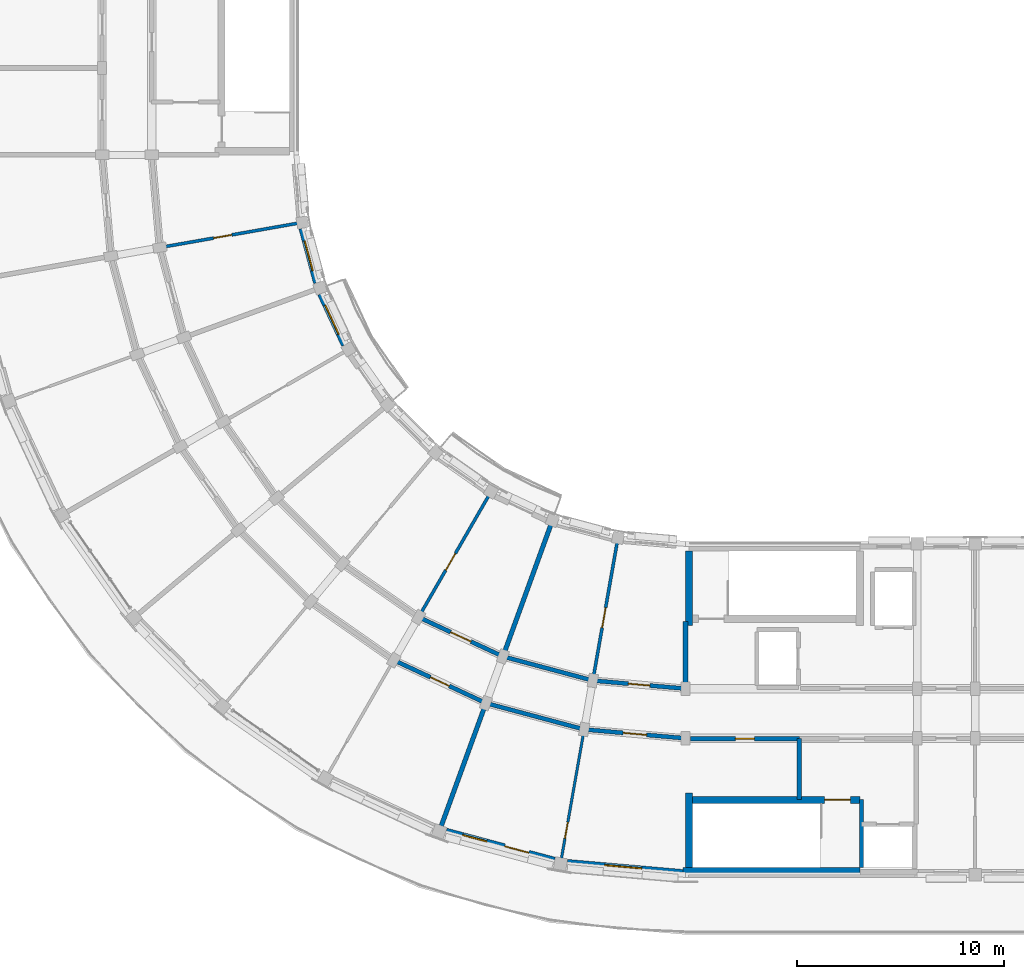
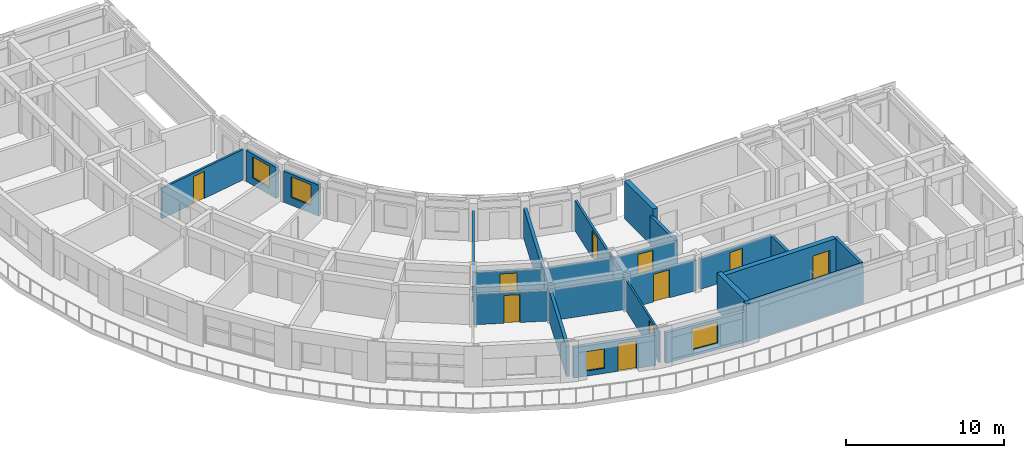
# One storey, part 17 of 53: 24 walls, 11 doors, 4 windows, 15 openings.
"""IFC4 building model written with IfcOpenShell, lengths in metres."""

import ifcopenshell
import ifcopenshell.guid

model = None  # the IFC model being written
_history = None  # IfcOwnerHistory: only IFC2X3 demands one
_inside = {}  # id of a spatial element -> (the spatial element, [elements in it])
_under = {}  # id of a project, library or spatial element -> (it, [spatial elements below it])
_declared = {}  # id of a project -> (the project, [libraries it declares])
_typed = {}  # id of a type object -> (the type object, [elements of that type])
_made_of = {}  # id of a material, layer set ... -> (it, [elements and type objects made of it])


def new_model(schema):
    """Start an empty IFC model of exactly this schema.

    Asked for "IFC4X3", IfcOpenShell would pick the latest addendum, in which some entities
    have other attributes; the version numbers below select the first issue.
    IFC2X3 requires an IfcOwnerHistory on every rooted entity: one is made here for all.
    """
    global model, _history
    if schema == "IFC4X3":
        model = ifcopenshell.file(schema_version=(4, 3, 0, 0))
    else:
        model = ifcopenshell.file(schema=schema)
    _inside.clear()
    _under.clear()
    _declared.clear()
    _typed.clear()
    _made_of.clear()
    _history = None
    if model.schema == "IFC2X3":
        org = make("IfcOrganization", Name="unknown")
        user = make(
            "IfcPersonAndOrganization",
            ThePerson=make("IfcPerson", FamilyName="unknown"),
            TheOrganization=org,
        )
        app = make(
            "IfcApplication",
            ApplicationDeveloper=org,
            Version="unknown",
            ApplicationFullName="unknown",
            ApplicationIdentifier="unknown",
        )
        _history = make(
            "IfcOwnerHistory",
            OwningUser=user,
            OwningApplication=app,
            ChangeAction="ADDED",
            CreationDate=0,
        )
    return model


def make(cls, **values):
    """One entity of the class cls with the attributes given. An attribute that is None is left unset."""
    return model.create_entity(
        cls, **{name: value for name, value in values.items() if value is not None}
    )


def rooted(cls, **values):
    """An entity with a GlobalId (a new one), such as an element, a storey or a relation."""
    return make(cls, GlobalId=ifcopenshell.guid.new(), OwnerHistory=_history, **values)


def si_unit(unit_type, name, prefix=None):
    """IfcSIUnit, for example si_unit("LENGTHUNIT", "METRE", prefix="MILLI")."""
    return make("IfcSIUnit", UnitType=unit_type, Prefix=prefix, Name=name)


def assignment(units):
    """IfcUnitAssignment: the units of a project."""
    return None if units is None else make("IfcUnitAssignment", Units=units)


def point(xyz):
    """IfcCartesianPoint."""
    return None if xyz is None else make("IfcCartesianPoint", Coordinates=xyz)


def direction(xyz):
    """IfcDirection."""
    return None if xyz is None else make("IfcDirection", DirectionRatios=xyz)


def frame(location, z_axis=None, x_axis=None):
    """IfcAxis2Placement3D, a coordinate frame: its origin and axes. An axis left out is left unset."""
    return make(
        "IfcAxis2Placement3D",
        Location=point(location),
        Axis=direction(z_axis),
        RefDirection=direction(x_axis),
    )


def frame_2d(location, x_axis=None):
    """IfcAxis2Placement2D, a coordinate frame in the plane: its origin and x axis."""
    return make(
        "IfcAxis2Placement2D", Location=point(location), RefDirection=direction(x_axis)
    )


def origin():
    """The frame at (0, 0, 0) with its axes left unset."""
    return frame((0.0, 0.0, 0.0))


def place(relative_to, where):
    """IfcLocalPlacement: puts the frame where relative to a parent placement (None: the world)."""
    return make(
        "IfcLocalPlacement", PlacementRelTo=relative_to, RelativePlacement=where
    )


def context(
    kind, dimensions, precision=None, world=None, true_north=None, identifier=None
):
    """IfcGeometricRepresentationContext, for example the 3D "Model" context."""
    return make(
        "IfcGeometricRepresentationContext",
        ContextIdentifier=identifier,
        ContextType=kind,
        CoordinateSpaceDimension=dimensions,
        Precision=precision,
        WorldCoordinateSystem=world,
        TrueNorth=true_north,
    )


def subcontext(parent, identifier, kind, view, scale=None):
    """IfcGeometricRepresentationSubContext, for example "Body" below "Model"."""
    return make(
        "IfcGeometricRepresentationSubContext",
        ContextIdentifier=identifier,
        ContextType=kind,
        ParentContext=parent,
        TargetScale=scale,
        TargetView=view,
    )


def project(units=None, contexts=None):
    """IfcProject with its units and contexts."""
    return rooted(
        "IfcProject",
        Name="project",
        RepresentationContexts=contexts,
        UnitsInContext=assignment(units),
    )


def spatial(cls, under=None, at=None, **own):
    """A site, building, storey or space (cls), placed at a placement, below another one or the project."""
    s = rooted(cls, ObjectPlacement=at, **own)
    if under is not None:
        _under.setdefault(under.id(), (under, []))[1].append(s)
    return s


def profile(cls, at=None, kind="AREA", **sizes):
    """A parametric profile (cls). Its sizes go by their IFC names, for example OverallWidth=200.0."""
    return make(cls, ProfileType=kind, Position=at, **sizes)


def rectangle(**sizes):
    """IfcRectangleProfileDef."""
    return profile("IfcRectangleProfileDef", **sizes)


def extrude(swept, where, along, depth):
    """IfcExtrudedAreaSolid: the profile swept, set in the frame where, extruded along a direction by depth."""
    return make(
        "IfcExtrudedAreaSolid",
        SweptArea=swept,
        Position=where,
        ExtrudedDirection=direction(along),
        Depth=depth,
    )


def shape(context_of_items, identifier, shape_type, items):
    """IfcShapeRepresentation: the items that make up one representation, for example the "Body"."""
    return make(
        "IfcShapeRepresentation",
        ContextOfItems=context_of_items,
        RepresentationIdentifier=identifier,
        RepresentationType=shape_type,
        Items=items,
    )


def material(Name=None, Category=None):
    """IfcMaterial."""
    return make("IfcMaterial", Name=Name, Category=Category)


def layer(
    of_material, thickness, ventilated=None, Name=None, Category=None, Priority=None
):
    """IfcMaterialLayer: one layer of a wall or slab, of a material (None: an air gap)."""
    return make(
        "IfcMaterialLayer",
        Material=of_material,
        LayerThickness=thickness,
        IsVentilated=ventilated,
        Name=Name,
        Category=Category,
        Priority=Priority,
    )


def layer_set(layers, Name=None):
    """IfcMaterialLayerSet."""
    return make("IfcMaterialLayerSet", MaterialLayers=layers, LayerSetName=Name)


def made_of(thing, what):
    """Note that an element or type object is made of a material, layer set ...; save() writes the relation."""
    if what is not None:
        _made_of.setdefault(what.id(), (what, []))[1].append(thing)
    return thing


def type_object(cls, material=None, **own):
    """A type object (cls), such as IfcWallType, which elements share."""
    return made_of(rooted(cls, **own), material)


def element(
    cls,
    number,
    at=None,
    inside=None,
    cuts=None,
    type_object=None,
    material=None,
    context=None,
    identifier="Body",
    shape_type=None,
    held_by="IfcProductDefinitionShape",
    body=None,
    shapes=None,
    **own,
):
    """One element of the class cls, such as IfcWall. Its Tag is "e" and its number.

    at: its placement. inside: the storey or other place that contains it. cuts: it is an
    opening in that element (IfcRelVoidsElement). A single representation is given by context,
    identifier, shape_type and body (its items); several are given by shapes. held_by: the class
    of the entity that holds the representations. save() writes the other relations.
    """
    e = rooted(cls, Tag="e%d" % number, ObjectPlacement=at, **own)
    if body is not None:
        shapes = [shape(context, identifier, shape_type, body)]
    if shapes is not None:
        e.Representation = make(held_by, Representations=shapes)
    if inside is not None:
        _inside.setdefault(inside.id(), (inside, []))[1].append(e)
    if cuts is not None:
        rooted(
            "IfcRelVoidsElement", RelatingBuildingElement=cuts, RelatedOpeningElement=e
        )
    if type_object is not None:
        _typed.setdefault(type_object.id(), (type_object, []))[1].append(e)
    return made_of(e, material)


def fill(opening, filler):
    """IfcRelFillsElement: the door or window that sits in an opening."""
    return rooted(
        "IfcRelFillsElement",
        RelatingOpeningElement=opening,
        RelatedBuildingElement=filler,
    )


def aggregate(whole, parts):
    """IfcRelAggregates: a whole, such as a stair, and the parts it consists of."""
    return rooted("IfcRelAggregates", RelatingObject=whole, RelatedObjects=parts)


def save(model, path):
    """Write the relations noted so far, then the file.

    IfcRelAggregates (storeys below a building ...), IfcRelContainedInSpatialStructure (elements
    in a storey), IfcRelDefinesByType, IfcRelAssociatesMaterial and IfcRelDeclares: one each for
    every whole, place, type object, material and project.
    """
    for whole, parts in _under.values():
        aggregate(whole, parts)
    for where, things in _inside.values():
        rooted(
            "IfcRelContainedInSpatialStructure",
            RelatedElements=things,
            RelatingStructure=where,
        )
    for kind, things in _typed.values():
        rooted("IfcRelDefinesByType", RelatedObjects=things, RelatingType=kind)
    for what, things in _made_of.values():
        rooted("IfcRelAssociatesMaterial", RelatedObjects=things, RelatingMaterial=what)
    for by, libraries in _declared.values():
        rooted("IfcRelDeclares", RelatingContext=by, RelatedDefinitions=libraries)
    model.write(path)


model = new_model("IFC4")

# Units and contexts
model_context = context("Model", 3, precision=1e-05, world=origin(), true_north=direction((0.0, 1.0)))
body_context = subcontext(model_context, "Body", "Model", "MODEL_VIEW")
ifc_project = project(units=[si_unit("LENGTHUNIT", "METRE"), si_unit("AREAUNIT", "SQUARE_METRE"), si_unit("VOLUMEUNIT", "CUBIC_METRE"), si_unit("PLANEANGLEUNIT", "RADIAN"), si_unit("MASSUNIT", "GRAM", prefix="KILO")], contexts=[model_context])

# Site, building, storey
site_placement = place(None, origin())
site = spatial("IfcSite", under=ifc_project, at=site_placement, CompositionType="ELEMENT")
building_placement = place(site_placement, origin())
building = spatial("IfcBuilding", under=site, at=building_placement, Name="Kiranvali Square Residences", CompositionType="ELEMENT")
storey_placement = place(building_placement, frame((0.0, 0.0, 30.75)))
storey = spatial("IfcBuildingStorey", under=building, at=storey_placement, Name="L09", CompositionType="ELEMENT", Elevation=30.75)

# Wall, opening, door
ifc_material_1 = material(Name="Autoclaved aerated concrete blockwork masonry", Category="masonry")
ifc_layer_1 = layer(ifc_material_1, 0.199951171875)
ifc_layer_set_1 = layer_set([ifc_layer_1], Name="Autoclaved aerated concrete blockwork masonry")
wall_type_1 = type_object("IfcWallType", Name="WL-COR-200", PredefinedType="STANDARD", material=ifc_layer_set_1)
wall_1_placement = place(storey_placement, frame((48.199951171875, 22.39990234375, 0.0), z_axis=(0.0, 0.0, 1.0), x_axis=(-0.996191949488, 0.087187153726, 0.0)))
wall_1 = element("IfcWall", 1, at=wall_1_placement, inside=storey, type_object=wall_type_1, Name="L09 architectural wall WL-L09-C-CCI-0", PredefinedType="STANDARD", context=body_context, shape_type="SweptSolid", body=[
    extrude(rectangle(XDim=4.4970703125, YDim=0.199951171875, at=frame_2d((2.24853515625, 0.0))), origin(), (0.0, 0.0, 1.0), 2.35205078125),
])
opening_1_placement = place(wall_1_placement, frame((1.728515625, 0.0, 0.0)))
opening_1 = element("IfcOpeningElement", 2, at=opening_1_placement, cuts=wall_1, Name="Opening FD-APT-60B", PredefinedType="OPENING", context=body_context, shape_type="SweptSolid", body=[
    extrude(rectangle(XDim=1.0400390625, YDim=2.14990234375, at=frame_2d((0.52001953125, 1.074951171875))), frame((0.0, 0.10986328125, 0.0), z_axis=(0.0, -1.0, 0.0), x_axis=(1.0, 0.0, 0.0)), (0.0, 0.0, 1.0), 0.219970703125),
])
ifc_material_2 = material(Name="Fire-rated acoustic hardwood and mineral-core door assembly", Category="wood")
door_type_1 = type_object("IfcDoorType", Name="DR-APT-1040", OperationType="NOTDEFINED", PredefinedType="DOOR", material=ifc_material_2)
door_1_placement = place(opening_1_placement, frame((1.0400390625, 0.0, 0.0), z_axis=(0.0, 0.0, 1.0), x_axis=(-1.0, 0.0, 0.0)))
door_1 = element("IfcDoor", 3, at=door_1_placement, inside=storey, type_object=door_type_1, Name="L09 door DR-L09-2286 (DR-APT-1040)", OperationType="SINGLE_SWING_RIGHT", OverallHeight=2.14990234375, OverallWidth=1.0400390625, PredefinedType="DOOR", context=body_context, shape_type="SweptSolid", body=[
    extrude(rectangle(XDim=1.0400390625, YDim=2.14990234375, at=frame_2d((0.52001953125, 1.074951171875))), frame((0.0, 0.02490234375, 0.0), z_axis=(0.0, -1.0, 0.0), x_axis=(1.0, 0.0, 0.0)), (0.0, 0.0, 1.0), 0.050048828125),
])
fill(opening_1, door_1)

wall_2_placement = place(storey_placement, frame((48.199951171875, 20.0, 0.0), z_axis=(0.0, 0.0, 1.0), x_axis=(-0.996193663584, 0.087167566415, 0.0)))
wall_2 = element("IfcWall", 4, at=wall_2_placement, inside=storey, type_object=wall_type_1, Name="L09 architectural wall WL-L09-C-CCO-0", PredefinedType="STANDARD", context=body_context, shape_type="SweptSolid", body=[
    extrude(rectangle(XDim=4.91552734375, YDim=0.199951171875, at=frame_2d((2.457763671875, 0.0))), origin(), (0.0, 0.0, 1.0), 2.35205078125),
])
opening_2_placement = place(wall_2_placement, frame((1.8876953125, 0.0, 0.0)))
opening_2 = element("IfcOpeningElement", 5, at=opening_2_placement, cuts=wall_2, Name="Opening FD-APT-60D", PredefinedType="OPENING", context=body_context, shape_type="SweptSolid", body=[
    extrude(rectangle(XDim=1.139892578125, YDim=2.14990234375, at=frame_2d((0.56982421875, 1.074951171875))), frame((0.0, 0.10986328125, 0.0), z_axis=(0.0, -1.0, 0.0), x_axis=(1.0, 0.0, 0.0)), (0.0, 0.0, 1.0), 0.219970703125),
])
door_type_2 = type_object("IfcDoorType", Name="DR-APT-1140", OperationType="NOTDEFINED", PredefinedType="DOOR", material=ifc_material_2)
door_2_placement = place(opening_2_placement, origin())
door_2 = element("IfcDoor", 6, at=door_2_placement, inside=storey, type_object=door_type_2, Name="L09 door DR-L09-2281 (DR-APT-1140)", OperationType="SINGLE_SWING_LEFT", OverallHeight=2.14990234375, OverallWidth=1.139892578125, PredefinedType="DOOR", context=body_context, shape_type="SweptSolid", body=[
    extrude(rectangle(XDim=1.139892578125, YDim=2.14990234375, at=frame_2d((0.56982421875, 1.074951171875))), frame((0.0, 0.02490234375, 0.0), z_axis=(0.0, -1.0, 0.0), x_axis=(1.0, 0.0, 0.0)), (0.0, 0.0, 1.0), 0.050048828125),
])
fill(opening_2, door_2)

# Walls
wall_3_placement = place(storey_placement, frame((43.719970703125, 22.7919921875, 0.0), z_axis=(0.0, 0.0, 1.0), x_axis=(-0.965934240054, 0.258787642463, 0.0)))
element("IfcWall", 7, at=wall_3_placement, inside=storey, type_object=wall_type_1, Name="L09 architectural wall WL-L09-C-CCI-1", PredefinedType="STANDARD", context=body_context, shape_type="SweptSolid", body=[
    extrude(rectangle(XDim=4.497314453125, YDim=0.199951171875, at=frame_2d((2.24853515625, 0.0))), origin(), (0.0, 0.0, 1.0), 2.35205078125),
])
wall_4_placement = place(storey_placement, frame((43.30322265625, 20.428466796875, 0.0), z_axis=(0.0, 0.0, 1.0), x_axis=(-0.965930095386, 0.258803112091, 0.0)))
element("IfcWall", 8, at=wall_4_placement, inside=storey, type_object=wall_type_1, Name="L09 architectural wall WL-L09-C-CCO-1", PredefinedType="STANDARD", context=body_context, shape_type="SweptSolid", body=[
    extrude(rectangle(XDim=4.915771484375, YDim=0.199951171875, at=frame_2d((2.4580078125, 0.0))), origin(), (0.0, 0.0, 1.0), 2.35205078125),
])

# Wall, opening, door
wall_5_placement = place(storey_placement, frame((39.3759765625, 23.955810546875, 0.0), z_axis=(0.0, 0.0, 1.0), x_axis=(-0.906307919131, 0.422617978463, 0.0)))
wall_5 = element("IfcWall", 9, at=wall_5_placement, inside=storey, type_object=wall_type_1, Name="L09 architectural wall WL-L09-C-CCI-2", PredefinedType="STANDARD", context=body_context, shape_type="SweptSolid", body=[
    extrude(rectangle(XDim=4.497314453125, YDim=0.199951171875, at=frame_2d((2.24853515625, 0.0))), origin(), (0.0, 0.0, 1.0), 2.35205078125),
])
opening_3_placement = place(wall_5_placement, frame((1.708740234375, 0.0, 0.0)))
opening_3 = element("IfcOpeningElement", 10, at=opening_3_placement, cuts=wall_5, Name="Opening FD-APT-60C", PredefinedType="OPENING", context=body_context, shape_type="SweptSolid", body=[
    extrude(rectangle(XDim=1.080078125, YDim=2.14990234375, at=frame_2d((0.5400390625, 1.074951171875))), frame((0.0, 0.10986328125, 0.0), z_axis=(0.0, -1.0, 0.0), x_axis=(1.0, 0.0, 0.0)), (0.0, 0.0, 1.0), 0.219970703125),
])
door_type_3 = type_object("IfcDoorType", Name="DR-APT-1080", OperationType="NOTDEFINED", PredefinedType="DOOR", material=ifc_material_2)
door_3_placement = place(opening_3_placement, origin())
door_3 = element("IfcDoor", 11, at=door_3_placement, inside=storey, type_object=door_type_3, Name="L09 door DR-L09-2287 (DR-APT-1080)", OperationType="SINGLE_SWING_LEFT", OverallHeight=2.14990234375, OverallWidth=1.080078125, PredefinedType="DOOR", context=body_context, shape_type="SweptSolid", body=[
    extrude(rectangle(XDim=1.080078125, YDim=2.14990234375, at=frame_2d((0.5400390625, 1.074951171875))), frame((0.0, 0.02490234375, 0.0), z_axis=(0.0, -1.0, 0.0), x_axis=(1.0, 0.0, 0.0)), (0.0, 0.0, 1.0), 0.050048828125),
])
fill(opening_3, door_3)

wall_6_placement = place(storey_placement, frame((38.554931640625, 21.70068359375, 0.0), z_axis=(0.0, 0.0, 1.0), x_axis=(-0.906302381024, 0.422629854778, 0.0)))
wall_6 = element("IfcWall", 12, at=wall_6_placement, inside=storey, type_object=wall_type_1, Name="L09 architectural wall WL-L09-C-CCO-2", PredefinedType="STANDARD", context=body_context, shape_type="SweptSolid", body=[
    extrude(rectangle(XDim=4.915283203125, YDim=0.199951171875, at=frame_2d((2.45751953125, 0.0))), origin(), (0.0, 0.0, 1.0), 2.35205078125),
])
opening_4_placement = place(wall_6_placement, frame((1.957763671875, 0.0, 0.0)))
opening_4 = element("IfcOpeningElement", 13, at=opening_4_placement, cuts=wall_6, Name="Opening FD-APT-60", PredefinedType="OPENING", context=body_context, shape_type="SweptSolid", body=[
    extrude(rectangle(XDim=1.0, YDim=2.14990234375, at=frame_2d((0.5, 1.074951171875))), frame((0.0, 0.10986328125, 0.0), z_axis=(0.0, -1.0, 0.0), x_axis=(1.0, 0.0, 0.0)), (0.0, 0.0, 1.0), 0.219970703125),
])
door_type_4 = type_object("IfcDoorType", Name="DR-APT-1000", OperationType="NOTDEFINED", PredefinedType="DOOR", material=ifc_material_2)
door_4_placement = place(opening_4_placement, frame((1.0, 0.0, 0.0), z_axis=(0.0, 0.0, 1.0), x_axis=(-1.0, 0.0, 0.0)))
door_4 = element("IfcDoor", 14, at=door_4_placement, inside=storey, type_object=door_type_4, Name="L09 door DR-L09-2282 (DR-APT-1000)", OperationType="SINGLE_SWING_RIGHT", OverallHeight=2.14990234375, OverallWidth=1.0, PredefinedType="DOOR", context=body_context, shape_type="SweptSolid", body=[
    extrude(rectangle(XDim=1.0, YDim=2.14990234375, at=frame_2d((0.5, 1.074951171875))), frame((0.0, 0.02490234375, 0.0), z_axis=(0.0, -1.0, 0.0), x_axis=(1.0, 0.0, 0.0)), (0.0, 0.0, 1.0), 0.050048828125),
])
fill(opening_4, door_4)

# Walls
ifc_layer_2 = layer(ifc_material_1, 0.219970703125)
ifc_layer_set_2 = layer_set([ifc_layer_2], Name="Autoclaved aerated concrete blockwork masonry")
wall_type_2 = type_object("IfcWallType", Name="WL-DEM-220", PredefinedType="STANDARD", material=ifc_layer_set_2)
wall_7_placement = place(storey_placement, frame((48.199951171875, 25.64990234375, 0.0), z_axis=(0.0, 0.0, 1.0), x_axis=(0.0, -1.0, 0.0)))
element("IfcWall", 15, at=wall_7_placement, inside=storey, type_object=wall_type_2, Name="L09 architectural wall WL-L09-C-RADI-0", PredefinedType="STANDARD", context=body_context, shape_type="SweptSolid", body=[
    extrude(rectangle(XDim=3.199951171875, YDim=0.219970703125, at=frame_2d((1.60009765625, 0.0))), origin(), (0.0, 0.0, 1.0), 2.35205078125),
])
wall_8_placement = place(storey_placement, frame((41.70166015625, 30.345947265625, 0.0), z_axis=(0.0, 0.0, 1.0), x_axis=(-0.342010221662, -0.939696231917, 0.0)))
element("IfcWall", 16, at=wall_8_placement, inside=storey, type_object=wall_type_2, Name="L09 architectural wall WL-L09-C-RADI-2", PredefinedType="STANDARD", context=body_context, shape_type="SweptSolid", body=[
    extrude(rectangle(XDim=6.75, YDim=0.219970703125, at=frame_2d((3.375, 0.0))), origin(), (0.0, 0.0, 1.0), 2.35205078125),
])
wall_9_placement = place(storey_placement, frame((38.520751953125, 21.606689453125, 0.0), z_axis=(0.0, 0.0, 1.0), x_axis=(-0.341992021352, -0.939702855871, 0.0)))
element("IfcWall", 17, at=wall_9_placement, inside=storey, type_object=wall_type_2, Name="L09 architectural wall WL-L09-C-RADO-2", PredefinedType="STANDARD", context=body_context, shape_type="SweptSolid", body=[
    extrude(rectangle(XDim=6.219970703125, YDim=0.219970703125, at=frame_2d((3.10986328125, 0.0))), origin(), (0.0, 0.0, 1.0), 2.35205078125),
])

# Wall, opening, window
ifc_material_3 = material(Name="Breathable lime-rendered clay brick masonry", Category="masonry")
ifc_layer_3 = layer(ifc_material_3, 0.25)
ifc_layer_set_3 = layer_set([ifc_layer_3], Name="Breathable lime-rendered clay brick masonry")
wall_type_3 = type_object("IfcWallType", Name="WL-EXT-250", PredefinedType="STANDARD", material=ifc_layer_set_3)
wall_10_placement = place(storey_placement, frame((48.06640625, 13.537109375, 0.0), z_axis=(0.0, 0.0, 1.0), x_axis=(-0.996192628107, 0.087179399543, 0.0)))
wall_10 = element("IfcWall", 18, at=wall_10_placement, inside=storey, type_object=wall_type_3, Name="L09 exterior wall C-L09-CRV-00", PredefinedType="STANDARD", context=body_context, shape_type="SweptSolid", body=[
    extrude(rectangle(XDim=5.59521484375, YDim=0.25, at=frame_2d((2.797607421875, 0.0))), origin(), (0.0, 0.0, 1.0), 2.35205078125),
])
opening_5_placement = place(wall_10_placement, frame((1.988037109375, 0.0, 0.501953125)))
opening_5 = element("IfcOpeningElement", 19, at=opening_5_placement, cuts=wall_10, Name="Opening W-04", PredefinedType="OPENING", context=body_context, shape_type="SweptSolid", body=[
    extrude(rectangle(XDim=1.800048828125, YDim=1.64990234375, at=frame_2d((0.89990234375, 0.824951171875))), frame((0.0, 0.135009765625, 0.0), z_axis=(0.0, -1.0, 0.0), x_axis=(1.0, 0.0, 0.0)), (0.0, 0.0, 1.0), 0.27001953125),
])
ifc_material_4 = material(Name="Solar-control low-e double glazing", Category="glass")
window_type_1 = type_object("IfcWindowType", Name="WIN-RES-1800x1650", PartitioningType="DOUBLE_PANEL_VERTICAL", PredefinedType="WINDOW", material=ifc_material_4)
window_1_placement = place(opening_5_placement, origin())
window_1 = element("IfcWindow", 20, at=window_1_placement, inside=storey, type_object=window_type_1, Name="L09 recessed window C-L09-CRV-00", OverallHeight=1.64990234375, OverallWidth=1.800048828125, PartitioningType="DOUBLE_PANEL_VERTICAL", PredefinedType="WINDOW", context=body_context, shape_type="SweptSolid", body=[
    extrude(rectangle(XDim=1.800048828125, YDim=1.64990234375, at=frame_2d((0.89990234375, 0.824951171875))), frame((0.0, 0.030029296875, 0.0), z_axis=(0.0, -1.0, 0.0), x_axis=(1.0, 0.0, 0.0)), (0.0, 0.0, 1.0), 0.06005859375),
])
fill(opening_5, window_1)

# Wall, openings, door, window
wall_11_placement = place(storey_placement, frame((41.874755859375, 14.1337890625, 0.0), z_axis=(0.0, 0.0, 1.0), x_axis=(-0.965928932241, 0.258807453254, 0.0)))
wall_11 = element("IfcWall", 21, at=wall_11_placement, inside=storey, type_object=wall_type_3, Name="L09 exterior wall C-L09-CRV-01", PredefinedType="STANDARD", context=body_context, shape_type="SweptSolid", body=[
    extrude(rectangle(XDim=5.414794921875, YDim=0.25, at=frame_2d((2.70751953125, 0.0))), origin(), (0.0, 0.0, 1.0), 2.35205078125),
])
opening_6_placement = place(wall_11_placement, frame((3.395263671875, 0.0, 0.402099609375)))
opening_6 = element("IfcOpeningElement", 22, at=opening_6_placement, cuts=wall_11, Name="Opening W-06", PredefinedType="OPENING", context=body_context, shape_type="SweptSolid", body=[
    extrude(rectangle(XDim=1.199951171875, YDim=1.5, at=frame_2d((0.60009765625, 0.75))), frame((0.0, 0.135009765625, 0.0), z_axis=(0.0, -1.0, 0.0), x_axis=(1.0, 0.0, 0.0)), (0.0, 0.0, 1.0), 0.27001953125),
])
opening_7_placement = place(wall_11_placement, frame((1.295166015625, 0.0, 0.0)))
opening_7 = element("IfcOpeningElement", 23, at=opening_7_placement, cuts=wall_11, Name="Opening ED-BAL-1", PredefinedType="OPENING", context=body_context, shape_type="SweptSolid", body=[
    extrude(rectangle(XDim=1.199951171875, YDim=2.14990234375, at=frame_2d((0.60009765625, 1.074951171875))), frame((0.0, 0.135009765625, 0.0), z_axis=(0.0, -1.0, 0.0), x_axis=(1.0, 0.0, 0.0)), (0.0, 0.0, 1.0), 0.27001953125),
])
ifc_material_5 = material(Name="Anodised bronze aluminium framing", Category="aluminium")
door_type_5 = type_object("IfcDoorType", Name="DR-BAL-1200", OperationType="NOTDEFINED", PredefinedType="DOOR", material=ifc_material_5)
door_5_placement = place(opening_7_placement, origin())
door_5 = element("IfcDoor", 24, at=door_5_placement, inside=storey, type_object=door_type_5, Name="L09 balcony terrace door", OperationType="SINGLE_SWING_RIGHT", OverallHeight=2.14990234375, OverallWidth=1.199951171875, PredefinedType="DOOR", context=body_context, shape_type="SweptSolid", body=[
    extrude(rectangle(XDim=1.199951171875, YDim=2.14990234375, at=frame_2d((0.60009765625, 1.074951171875))), frame((0.0, 0.02490234375, 0.0), z_axis=(0.0, -1.0, 0.0), x_axis=(1.0, 0.0, 0.0)), (0.0, 0.0, 1.0), 0.050048828125),
])
fill(opening_7, door_5)
window_type_2 = type_object("IfcWindowType", Name="WIN-RES-1200x1500", PartitioningType="SINGLE_PANEL", PredefinedType="WINDOW", material=ifc_material_4)
window_2_placement = place(opening_6_placement, origin())
window_2 = element("IfcWindow", 25, at=window_2_placement, inside=storey, type_object=window_type_2, Name="L09 recessed window C-L09-CRV-01", OverallHeight=1.5, OverallWidth=1.199951171875, PartitioningType="SINGLE_PANEL", PredefinedType="WINDOW", context=body_context, shape_type="SweptSolid", body=[
    extrude(rectangle(XDim=1.199951171875, YDim=1.5, at=frame_2d((0.60009765625, 0.75))), frame((0.0, 0.030029296875, 0.0), z_axis=(0.0, -1.0, 0.0), x_axis=(1.0, 0.0, 0.0)), (0.0, 0.0, 1.0), 0.06005859375),
])
fill(opening_6, window_2)

# Wall, opening, window
wall_12_placement = place(storey_placement, frame((31.687744140625, 38.999755859375, 0.0), z_axis=(0.0, 0.0, 1.0), x_axis=(-0.422629903269, 0.906302358412, 0.0)))
wall_12 = element("IfcWall", 26, at=wall_12_placement, inside=storey, type_object=wall_type_3, Name="L09 exterior wall C-L09-GDN-06", PredefinedType="STANDARD", context=body_context, shape_type="SweptSolid", body=[
    extrude(rectangle(XDim=2.7197265625, YDim=0.25, at=frame_2d((1.35986328125, 0.0))), origin(), (0.0, 0.0, 1.0), 2.402099609375),
])
opening_8_placement = place(wall_12_placement, frame((0.5849609375, 0.0, 0.60205078125)))
opening_8 = element("IfcOpeningElement", 27, at=opening_8_placement, cuts=wall_12, Name="Opening W-18", PredefinedType="OPENING", context=body_context, shape_type="SweptSolid", body=[
    extrude(rectangle(XDim=1.550048828125, YDim=1.60009765625, at=frame_2d((0.77490234375, 0.800048828125))), frame((0.0, 0.135009765625, 0.0), z_axis=(0.0, -1.0, 0.0), x_axis=(1.0, 0.0, 0.0)), (0.0, 0.0, 1.0), 0.27001953125),
])
window_type_3 = type_object("IfcWindowType", Name="WIN-GDN-1550x1600", PartitioningType="DOUBLE_PANEL_VERTICAL", PredefinedType="WINDOW", material=ifc_material_4)
window_3_placement = place(opening_8_placement, origin())
window_3 = element("IfcWindow", 28, at=window_3_placement, inside=storey, type_object=window_type_3, Name="L09 recessed window C-L09-GDN-06", OverallHeight=1.60009765625, OverallWidth=1.550048828125, PartitioningType="DOUBLE_PANEL_VERTICAL", PredefinedType="WINDOW", context=body_context, shape_type="SweptSolid", body=[
    extrude(rectangle(XDim=1.550048828125, YDim=1.60009765625, at=frame_2d((0.77490234375, 0.800048828125))), frame((0.0, 0.030029296875, 0.0), z_axis=(0.0, -1.0, 0.0), x_axis=(1.0, 0.0, 0.0)), (0.0, 0.0, 1.0), 0.06005859375),
])
fill(opening_8, window_3)

wall_13_placement = place(storey_placement, frame((30.3408203125, 42.0068359375, 0.0), z_axis=(0.0, 0.0, 1.0), x_axis=(-0.258807879411, 0.965928818058, 0.0)))
wall_13 = element("IfcWall", 29, at=wall_13_placement, inside=storey, type_object=wall_type_3, Name="L09 exterior wall C-L09-GDN-07", PredefinedType="STANDARD", context=body_context, shape_type="SweptSolid", body=[
    extrude(rectangle(XDim=2.7197265625, YDim=0.25, at=frame_2d((1.35986328125, 0.0))), origin(), (0.0, 0.0, 1.0), 2.402099609375),
])
opening_9_placement = place(wall_13_placement, frame((0.60986328125, 0.0, 0.552001953125)))
opening_9 = element("IfcOpeningElement", 30, at=opening_9_placement, cuts=wall_13, Name="Opening W-05", PredefinedType="OPENING", context=body_context, shape_type="SweptSolid", body=[
    extrude(rectangle(XDim=1.5, YDim=1.64990234375, at=frame_2d((0.75, 0.824951171875))), frame((0.0, 0.135009765625, 0.0), z_axis=(0.0, -1.0, 0.0), x_axis=(1.0, 0.0, 0.0)), (0.0, 0.0, 1.0), 0.27001953125),
])
window_type_4 = type_object("IfcWindowType", Name="WIN-RES-1500x1650", PartitioningType="DOUBLE_PANEL_VERTICAL", PredefinedType="WINDOW", material=ifc_material_4)
window_4_placement = place(opening_9_placement, origin())
window_4 = element("IfcWindow", 31, at=window_4_placement, inside=storey, type_object=window_type_4, Name="L09 recessed window C-L09-GDN-07", OverallHeight=1.64990234375, OverallWidth=1.5, PartitioningType="DOUBLE_PANEL_VERTICAL", PredefinedType="WINDOW", context=body_context, shape_type="SweptSolid", body=[
    extrude(rectangle(XDim=1.5, YDim=1.64990234375, at=frame_2d((0.75, 0.824951171875))), frame((0.0, 0.030029296875, 0.0), z_axis=(0.0, -1.0, 0.0), x_axis=(1.0, 0.0, 0.0)), (0.0, 0.0, 1.0), 0.06005859375),
])
fill(opening_9, window_4)

# Wall
ifc_layer_4 = layer(ifc_material_1, 0.199951171875)
ifc_layer_set_4 = layer_set([ifc_layer_4], Name="Autoclaved aerated concrete blockwork masonry")
wall_type_4 = type_object("IfcWallType", Name="WL-FFL-200", PredefinedType="STANDARD", material=ifc_layer_set_4)
wall_14_placement = place(storey_placement, frame((53.699951171875, 19.97998046875, 0.0), z_axis=(0.0, 0.0, 1.0), x_axis=(0.0, -1.0, 0.0)))
element("IfcWall", 32, at=wall_14_placement, inside=storey, type_object=wall_type_4, Name="L09 architectural wall WL-L09-C-FF-DIV", PredefinedType="STANDARD", context=body_context, shape_type="SweptSolid", body=[
    extrude(rectangle(XDim=2.929931640625, YDim=0.199951171875, at=frame_2d((1.46484375, 0.0))), origin(), (0.0, 0.0, 1.0), 2.35205078125),
])

# Wall, opening, door
ifc_material_6 = material(Name="Acoustic gypsum board drylined partition", Category="gypsum")
ifc_layer_5 = layer(ifc_material_6, 0.125)
ifc_layer_set_5 = layer_set([ifc_layer_5], Name="Acoustic gypsum board drylined partition")
wall_type_5 = type_object("IfcWallType", Name="WL-PRT-125", PredefinedType="PARTITIONING", material=ifc_layer_set_5)
wall_15_placement = place(storey_placement, frame((43.28564453125, 20.329833984375, 0.0), z_axis=(0.0, 0.0, 1.0), x_axis=(-0.173646504755, -0.98480804799, 0.0)))
wall_15 = element("IfcWall", 33, at=wall_15_placement, inside=storey, type_object=wall_type_5, Name="L09 architectural wall WL-L09-C-RADO-1", PredefinedType="PARTITIONING", context=body_context, shape_type="SweptSolid", body=[
    extrude(rectangle(XDim=6.219970703125, YDim=0.125, at=frame_2d((3.10986328125, 0.0))), origin(), (0.0, 0.0, 1.0), 2.35205078125),
])
opening_10_placement = place(wall_15_placement, frame((4.44970703125, 0.0, 0.0)))
opening_10 = element("IfcOpeningElement", 34, at=opening_10_placement, cuts=wall_15, Name="Opening ID-WET", PredefinedType="OPENING", context=body_context, shape_type="SweptSolid", body=[
    extrude(rectangle(XDim=0.800048828125, YDim=2.10009765625, at=frame_2d((0.39990234375, 1.050048828125))), frame((0.0, 0.072509765625, 0.0), z_axis=(0.0, -1.0, 0.0), x_axis=(1.0, 0.0, 0.0)), (0.0, 0.0, 1.0), 0.14501953125),
])
ifc_material_7 = material(Name="Solid seasoned teak hardwood joinery", Category="wood")
door_type_6 = type_object("IfcDoorType", Name="DR-WET-800", OperationType="NOTDEFINED", PredefinedType="DOOR", material=ifc_material_7)
door_6_placement = place(opening_10_placement, origin())
door_6 = element("IfcDoor", 35, at=door_6_placement, inside=storey, type_object=door_type_6, Name="L09 door DR-L09-2273 (DR-WET-800)", OperationType="SINGLE_SWING_LEFT", OverallHeight=2.10009765625, OverallWidth=0.800048828125, PredefinedType="DOOR", context=body_context, shape_type="SweptSolid", body=[
    extrude(rectangle(XDim=0.800048828125, YDim=2.10009765625, at=frame_2d((0.39990234375, 1.050048828125))), frame((0.0, 0.02490234375, 0.0), z_axis=(0.0, -1.0, 0.0), x_axis=(1.0, 0.0, 0.0)), (0.0, 0.0, 1.0), 0.050048828125),
])
fill(opening_10, door_6)

ifc_layer_6 = layer(ifc_material_6, 0.14990234375)
ifc_layer_set_6 = layer_set([ifc_layer_6], Name="Acoustic gypsum board drylined partition")
wall_type_6 = type_object("IfcWallType", Name="WL-PRT-150", PredefinedType="PARTITIONING", material=ifc_layer_set_6)
wall_16_placement = place(storey_placement, frame((44.900634765625, 29.48876953125, 0.0), z_axis=(0.0, 0.0, 1.0), x_axis=(-0.173647089161, -0.984807944945, 0.0)))
wall_16 = element("IfcWall", 36, at=wall_16_placement, inside=storey, type_object=wall_type_6, Name="L09 architectural wall WL-L09-C-RADI-1", PredefinedType="PARTITIONING", context=body_context, shape_type="SweptSolid", body=[
    extrude(rectangle(XDim=6.75, YDim=0.14990234375, at=frame_2d((3.375, 0.0))), origin(), (0.0, 0.0, 1.0), 2.35205078125),
])
opening_11_placement = place(wall_16_placement, frame((3.222412109375, 0.0, 0.0)))
opening_11 = element("IfcOpeningElement", 37, at=opening_11_placement, cuts=wall_16, Name="Opening ID-3", PredefinedType="OPENING", context=body_context, shape_type="SweptSolid", body=[
    extrude(rectangle(XDim=0.97998046875, YDim=2.1201171875, at=frame_2d((0.489990234375, 1.06005859375))), frame((0.0, 0.0849609375, 0.0), z_axis=(0.0, -1.0, 0.0), x_axis=(1.0, 0.0, 0.0)), (0.0, 0.0, 1.0), 0.169921875),
])
door_type_7 = type_object("IfcDoorType", Name="DR-INT-980", OperationType="NOTDEFINED", PredefinedType="DOOR", material=ifc_material_7)
door_7_placement = place(opening_11_placement, frame((0.97998046875, 0.0, 0.0), z_axis=(0.0, 0.0, 1.0), x_axis=(-1.0, 0.0, 0.0)))
door_7 = element("IfcDoor", 38, at=door_7_placement, inside=storey, type_object=door_type_7, Name="L09 door DR-L09-2272 (DR-INT-980)", OperationType="SINGLE_SWING_RIGHT", OverallHeight=2.1201171875, OverallWidth=0.97998046875, PredefinedType="DOOR", context=body_context, shape_type="SweptSolid", body=[
    extrude(rectangle(XDim=0.97998046875, YDim=2.1201171875, at=frame_2d((0.489990234375, 1.06005859375))), frame((0.0, 0.02490234375, 0.0), z_axis=(0.0, -1.0, 0.0), x_axis=(1.0, 0.0, 0.0)), (0.0, 0.0, 1.0), 0.050048828125),
])
fill(opening_11, door_7)

wall_17_placement = place(storey_placement, frame((38.699951171875, 31.74560546875, 0.0), z_axis=(0.0, 0.0, 1.0), x_axis=(-0.499997969693, -0.866026575979, 0.0)))
wall_17 = element("IfcWall", 39, at=wall_17_placement, inside=storey, type_object=wall_type_6, Name="L09 architectural wall WL-L09-C-RADI-3", PredefinedType="PARTITIONING", context=body_context, shape_type="SweptSolid", body=[
    extrude(rectangle(XDim=6.75, YDim=0.14990234375, at=frame_2d((3.375, 0.0))), origin(), (0.0, 0.0, 1.0), 2.35205078125),
])
opening_12_placement = place(wall_17_placement, frame((3.242431640625, 0.0, 0.0)))
opening_12 = element("IfcOpeningElement", 40, at=opening_12_placement, cuts=wall_17, Name="Opening ID-2", PredefinedType="OPENING", context=body_context, shape_type="SweptSolid", body=[
    extrude(rectangle(XDim=0.93994140625, YDim=2.10009765625, at=frame_2d((0.469970703125, 1.050048828125))), frame((0.0, 0.0849609375, 0.0), z_axis=(0.0, -1.0, 0.0), x_axis=(1.0, 0.0, 0.0)), (0.0, 0.0, 1.0), 0.169921875),
])
door_type_8 = type_object("IfcDoorType", Name="DR-INT-940", OperationType="NOTDEFINED", PredefinedType="DOOR", material=ifc_material_7)
door_8_placement = place(opening_12_placement, frame((0.93994140625, 0.0, 0.0), z_axis=(0.0, 0.0, 1.0), x_axis=(-1.0, 0.0, 0.0)))
door_8 = element("IfcDoor", 41, at=door_8_placement, inside=storey, type_object=door_type_8, Name="L09 door DR-L09-2274 (DR-INT-940)", OperationType="SINGLE_SWING_RIGHT", OverallHeight=2.10009765625, OverallWidth=0.93994140625, PredefinedType="DOOR", context=body_context, shape_type="SweptSolid", body=[
    extrude(rectangle(XDim=0.93994140625, YDim=2.10009765625, at=frame_2d((0.469970703125, 1.050048828125))), frame((0.0, 0.02490234375, 0.0), z_axis=(0.0, -1.0, 0.0), x_axis=(1.0, 0.0, 0.0)), (0.0, 0.0, 1.0), 0.050048828125),
])
fill(opening_12, door_8)

wall_18_placement = place(storey_placement, frame((29.48876953125, 44.900634765625, 0.0), z_axis=(0.0, 0.0, 1.0), x_axis=(-0.984807944945, -0.173647089161, 0.0)))
wall_18 = element("IfcWall", 42, at=wall_18_placement, inside=storey, type_object=wall_type_6, Name="L09 architectural wall WL-L09-C-RADI-8", PredefinedType="PARTITIONING", context=body_context, shape_type="SweptSolid", body=[
    extrude(rectangle(XDim=6.75, YDim=0.14990234375, at=frame_2d((3.375, 0.0))), origin(), (0.0, 0.0, 1.0), 2.35205078125),
])
opening_13_placement = place(wall_18_placement, frame((3.262451171875, 0.0, 0.0)))
opening_13 = element("IfcOpeningElement", 43, at=opening_13_placement, cuts=wall_18, Name="Opening ID-1", PredefinedType="OPENING", context=body_context, shape_type="SweptSolid", body=[
    extrude(rectangle(XDim=0.89990234375, YDim=2.10009765625, at=frame_2d((0.449951171875, 1.050048828125))), frame((0.0, 0.0849609375, 0.0), z_axis=(0.0, -1.0, 0.0), x_axis=(1.0, 0.0, 0.0)), (0.0, 0.0, 1.0), 0.169921875),
])
door_type_9 = type_object("IfcDoorType", Name="DR-INT-900", OperationType="NOTDEFINED", PredefinedType="DOOR", material=ifc_material_7)
door_9_placement = place(opening_13_placement, frame((0.89990234375, 0.0, 0.0), z_axis=(0.0, 0.0, 1.0), x_axis=(-1.0, 0.0, 0.0)))
door_9 = element("IfcDoor", 44, at=door_9_placement, inside=storey, type_object=door_type_9, Name="L09 door DR-L09-2280 (DR-INT-900)", OperationType="SINGLE_SWING_RIGHT", OverallHeight=2.10009765625, OverallWidth=0.89990234375, PredefinedType="DOOR", context=body_context, shape_type="SweptSolid", body=[
    extrude(rectangle(XDim=0.89990234375, YDim=2.10009765625, at=frame_2d((0.449951171875, 1.050048828125))), frame((0.0, 0.02490234375, 0.0), z_axis=(0.0, -1.0, 0.0), x_axis=(1.0, 0.0, 0.0)), (0.0, 0.0, 1.0), 0.050048828125),
])
fill(opening_13, door_9)

ifc_layer_7 = layer(ifc_material_1, 0.199951171875)
ifc_layer_set_7 = layer_set([ifc_layer_7], Name="Autoclaved aerated concrete blockwork masonry")
wall_type_7 = type_object("IfcWallType", Name="WL-SHF-200", PredefinedType="STANDARD", material=ifc_layer_set_7)
wall_19_placement = place(storey_placement, frame((48.449951171875, 19.97998046875, 0.0), z_axis=(0.0, 0.0, 1.0), x_axis=(1.0, 0.0, 0.0)))
wall_19 = element("IfcWall", 45, at=wall_19_placement, inside=storey, type_object=wall_type_7, Name="L09 architectural wall WL-L09-C-RSR-COR", PredefinedType="STANDARD", context=body_context, shape_type="SweptSolid", body=[
    extrude(rectangle(XDim=5.25, YDim=0.199951171875, at=frame_2d((2.625, 0.0))), origin(), (0.0, 0.0, 1.0), 2.35205078125),
])
opening_14_placement = place(wall_19_placement, frame((2.1650390625, 0.0, 0.0)))
opening_14 = element("IfcOpeningElement", 46, at=opening_14_placement, cuts=wall_19, Name="Opening FD-SVC-120", PredefinedType="OPENING", context=body_context, shape_type="SweptSolid", body=[
    extrude(rectangle(XDim=0.919921875, YDim=2.10009765625, at=frame_2d((0.4599609375, 1.050048828125))), frame((0.0, 0.10986328125, 0.0), z_axis=(0.0, -1.0, 0.0), x_axis=(1.0, 0.0, 0.0)), (0.0, 0.0, 1.0), 0.219970703125),
])
door_type_10 = type_object("IfcDoorType", Name="DR-SVC-900", OperationType="NOTDEFINED", PredefinedType="DOOR", material=ifc_material_2)
door_10_placement = place(opening_14_placement, frame((0.919921875, 0.0, 0.0), z_axis=(0.0, 0.0, 1.0), x_axis=(-1.0, 0.0, 0.0)))
door_10 = element("IfcDoor", 47, at=door_10_placement, inside=storey, type_object=door_type_10, Name="L09 door DR-L09-2256 (DR-SVC-900)", OperationType="SINGLE_SWING_RIGHT", OverallHeight=2.10009765625, OverallWidth=0.919921875, PredefinedType="DOOR", context=body_context, shape_type="SweptSolid", body=[
    extrude(rectangle(XDim=0.919921875, YDim=2.10009765625, at=frame_2d((0.4599609375, 1.050048828125))), frame((0.0, 0.02490234375, 0.0), z_axis=(0.0, -1.0, 0.0), x_axis=(1.0, 0.0, 0.0)), (0.0, 0.0, 1.0), 0.050048828125),
])
fill(opening_14, door_10)

# Walls
wall_20_placement = place(storey_placement, frame((56.699951171875, 17.050048828125, 0.0), z_axis=(0.0, 0.0, 1.0), x_axis=(0.0, -1.0, 0.0)))
element("IfcWall", 48, at=wall_20_placement, inside=storey, type_object=wall_type_7, Name="L09 architectural wall WL-L09-C-FF-SHF", PredefinedType="STANDARD", context=body_context, shape_type="SweptSolid", body=[
    extrude(rectangle(XDim=3.300048828125, YDim=0.199951171875, at=frame_2d((1.64990234375, 0.0))), origin(), (0.0, 0.0, 1.0), 2.909912109375),
])
ifc_material_8 = material(Name="Concrete M45 (45 MPa)", Category="concrete")
ifc_layer_8 = layer(ifc_material_8, 0.320068359375)
ifc_layer_set_8 = layer_set([ifc_layer_8], Name="Concrete M45 (45 MPa)")
wall_type_8 = type_object("IfcWallType", Name="WL-SHR-320", PredefinedType="SHEAR", material=ifc_layer_set_8)
wall_21_placement = place(storey_placement, frame((48.080078125, 13.574951171875, 0.0), z_axis=(0.0, 0.0, 1.0), x_axis=(1.0, 0.0, 0.0)))
element("IfcWall", 49, at=wall_21_placement, inside=storey, type_object=wall_type_8, Name="Block C core shear wall SW-C1-OUT-L09", PredefinedType="SHEAR", context=body_context, shape_type="SweptSolid", body=[
    extrude(rectangle(XDim=8.544921875, YDim=0.35009765625, at=frame_2d((4.2724609375, 0.0))), origin(), (0.0, 0.0, 1.0), 2.909912109375),
])

# Wall, opening, door
wall_22_placement = place(storey_placement, frame((48.550048828125, 17.02490234375, 0.0), z_axis=(0.0, 0.0, 1.0), x_axis=(1.0, 0.0, 0.0)))
wall_22 = element("IfcWall", 50, at=wall_22_placement, inside=storey, type_object=wall_type_8, Name="Block C core shear wall SW-C1-IN-L09", PredefinedType="SHEAR", context=body_context, shape_type="SweptSolid", body=[
    extrude(rectangle(XDim=8.074951171875, YDim=0.35009765625, at=frame_2d((4.03759765625, 0.0))), origin(), (0.0, 0.0, 1.0), 2.909912109375),
])
opening_15_placement = place(wall_22_placement, frame((6.3798828125, 0.0, 0.0)))
opening_15 = element("IfcOpeningElement", 51, at=opening_15_placement, cuts=wall_22, Name="Opening FD-ST-120", PredefinedType="OPENING", context=body_context, shape_type="SweptSolid", body=[
    extrude(rectangle(XDim=1.239990234375, YDim=2.14990234375, at=frame_2d((0.6201171875, 1.074951171875))), frame((0.0, 0.18505859375, 0.0), z_axis=(0.0, -1.0, 0.0), x_axis=(1.0, 0.0, 0.0)), (0.0, 0.0, 1.0), 0.3701171875),
])
door_type_11 = type_object("IfcDoorType", Name="DR-FD120-1200", OperationType="NOTDEFINED", PredefinedType="DOOR", material=ifc_material_2)
door_11_placement = place(opening_15_placement, frame((1.239990234375, 0.0, 0.0), z_axis=(0.0, 0.0, 1.0), x_axis=(-1.0, 0.0, 0.0)))
door_11 = element("IfcDoor", 52, at=door_11_placement, inside=storey, type_object=door_type_11, Name="L09 door DR-L09-2258 (DR-FD120-1200)", OperationType="SINGLE_SWING_RIGHT", OverallHeight=2.14990234375, OverallWidth=1.239990234375, PredefinedType="DOOR", context=body_context, shape_type="SweptSolid", body=[
    extrude(rectangle(XDim=1.239990234375, YDim=2.14990234375, at=frame_2d((0.6201171875, 1.074951171875))), frame((0.0, 0.02490234375, 0.0), z_axis=(0.0, -1.0, 0.0), x_axis=(1.0, 0.0, 0.0)), (0.0, 0.0, 1.0), 0.050048828125),
])
fill(opening_15, door_11)

# Walls
for number, where, z_axis, x_axis, name in (
    (53, (48.375, 17.35009765625, 0.0), (0.0, 0.0, 1.0), (0.0, -1.0, 0.0), "Block C core shear wall SW-C1-FAR-L09"),
    (54, (48.375, 29.050048828125, 0.0), (0.0, 0.0, 1.0), (0.0, -1.0, 0.0), "Block C core shear wall SW-C2-NEAR-L09"),
):
    element("IfcWall", number, at=place(storey_placement, frame(where, z_axis=z_axis, x_axis=x_axis)), inside=storey, type_object=wall_type_8, Name=name, PredefinedType="SHEAR", context=body_context, shape_type="SweptSolid", body=[
        extrude(rectangle(XDim=3.60009765625, YDim=0.35009765625, at=frame_2d((1.800048828125, 0.0))), origin(), (0.0, 0.0, 1.0), 2.909912109375),
    ])

save(model, "model.ifc")
